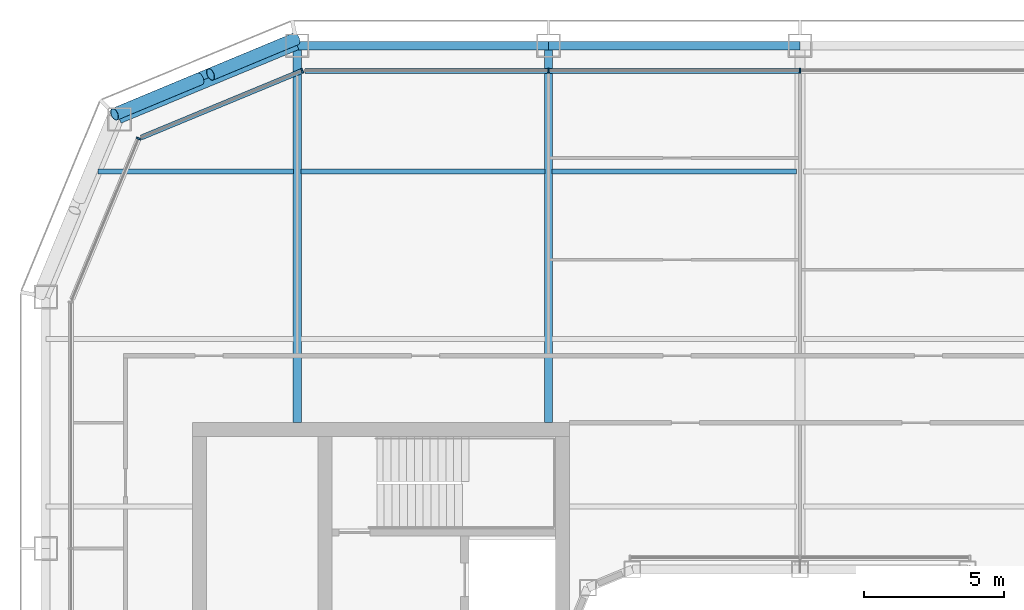
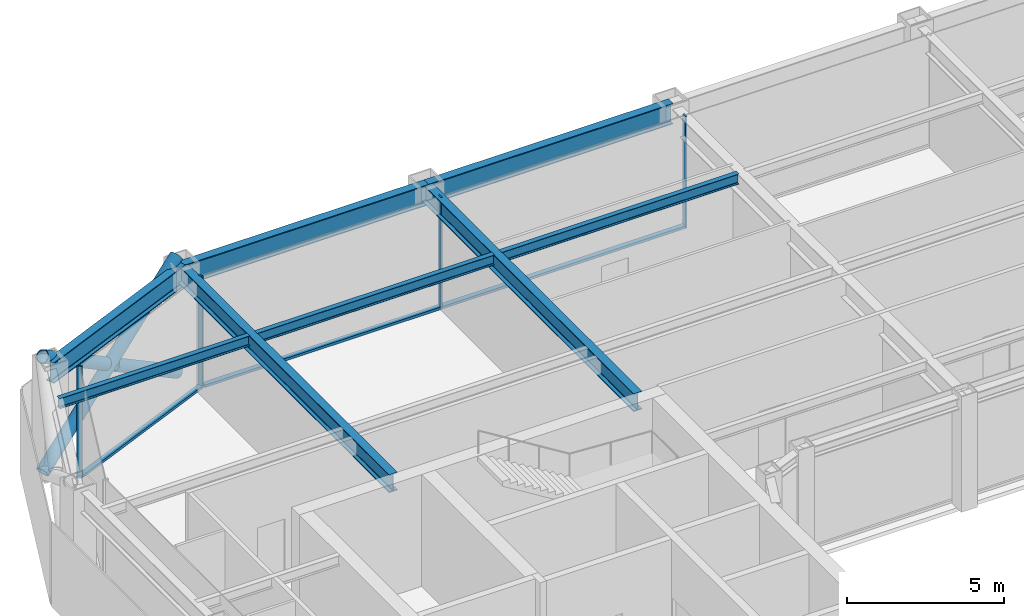
# One storey, part 8 of 19: 10 members, 8 beams, 3 elements without a shape of their own.
"""IFC4 building model written with IfcOpenShell, lengths in metres."""

from ifc_helpers import new_model, si_unit, direction, frame, origin, origin_2d, place, context, subcontext, project, spatial, rectangle, hollow_circle, i_section, extrude, material, layer, layer_set, material_profile, profile_set, type_object, element, aggregate, save


model = new_model("IFC4")

# Units and contexts
model_context = context("Model", 3, precision=1e-05, world=origin(), true_north=direction((0.0, 1.0)))
body_context = subcontext(model_context, "Body", "Model", "MODEL_VIEW")
ifc_project = project(units=[si_unit("LENGTHUNIT", "METRE"), si_unit("AREAUNIT", "SQUARE_METRE"), si_unit("VOLUMEUNIT", "CUBIC_METRE"), si_unit("PLANEANGLEUNIT", "RADIAN"), si_unit("MASSUNIT", "GRAM", prefix="KILO")], contexts=[model_context])

# Site, building, storey
site_placement = place(None, origin())
site = spatial("IfcSite", under=ifc_project, at=site_placement, CompositionType="ELEMENT")
building_placement = place(site_placement, origin())
building = spatial("IfcBuilding", under=site, at=building_placement, Name="Siwar Civic Tower", CompositionType="ELEMENT")
storey_placement = place(building_placement, frame((0.0, 0.0, 210.699951171875)))
storey = spatial("IfcBuildingStorey", under=building, at=storey_placement, Name="L45", CompositionType="ELEMENT", Elevation=210.699951171875)

# Curtain wall, members
ifc_material_1 = material(Name="Aluminium and glass", Category="aluminium")
ifc_layer_1 = layer(ifc_material_1, 0.179931640625)
ifc_layer_set_1 = layer_set([ifc_layer_1], Name="Aluminium and glass")
curtain_wall_type_1 = type_object("IfcCurtainWallType", Name="ENV-CW-C", PredefinedType="NOTDEFINED", material=ifc_layer_set_1)
curtain_wall_1_placement = place(storey_placement, origin())
curtain_wall_1 = element("IfcCurtainWall", 1, at=curtain_wall_1_placement, inside=storey, type_object=curtain_wall_type_1, Name="Curtain wall C N", PredefinedType="NOTDEFINED")
ifc_material_2 = material(Name="Aluminium 6063-T6", Category="aluminium")
ifc_material_profile_1 = material_profile(ifc_material_2, rectangle(XDim=0.179931640625, YDim=0.06005859375, at=origin_2d()), Name="AL 180x60")
ifc_profile_set_1 = profile_set([ifc_material_profile_1], Name="Aluminium 6063-T6")
member_type_1 = type_object("IfcMemberType", Name="ENV-MULLION-C", PredefinedType="MULLION", material=ifc_profile_set_1)
member_1_placement = place(storey_placement, frame((0.0, 26.10009765625, 0.0), z_axis=(0.0, 0.0, 1.0), x_axis=(0.0, -1.0, 0.0)))
member_1 = element("IfcMember", 2, at=member_1_placement, type_object=member_type_1, Name="Mullion C N 3", PredefinedType="MULLION", context=body_context, shape_type="SweptSolid", body=[
    extrude(rectangle(XDim=0.179931640625, YDim=0.06005859375, at=origin_2d()), origin(), (0.0, 0.0, 1.0), 4.35009765625),
])
member_2_placement = place(storey_placement, frame((-9.0, 26.10009765625, 0.0), z_axis=(0.0, 0.0, 1.0), x_axis=(0.0, -1.0, 0.0)))
member_2 = element("IfcMember", 3, at=member_2_placement, type_object=member_type_1, Name="Mullion C N 4", PredefinedType="MULLION", context=body_context, shape_type="SweptSolid", body=[
    extrude(rectangle(XDim=0.179931640625, YDim=0.06005859375, at=origin_2d()), origin(), (0.0, 0.0, 1.0), 4.35009765625),
])

# Curtain wall, member
ifc_material_3 = material(Name="Aluminium clad insulated panel", Category="aluminium")
ifc_layer_2 = layer(ifc_material_3, 0.179931640625)
ifc_layer_set_2 = layer_set([ifc_layer_2], Name="Aluminium clad insulated panel")
curtain_wall_type_2 = type_object("IfcCurtainWallType", Name="ENV-CW-CX", PredefinedType="NOTDEFINED", material=ifc_layer_set_2)
curtain_wall_2_placement = place(storey_placement, origin())
curtain_wall_2 = element("IfcCurtainWall", 4, at=curtain_wall_2_placement, inside=storey, type_object=curtain_wall_type_2, Name="Curtain wall C NW1", PredefinedType="NOTDEFINED")
member_3_placement = place(storey_placement, frame((-17.821044921875, 26.10009765625, 0.0), z_axis=(0.0, 0.0, 1.0), x_axis=(0.382683432365, -0.923879532511, 0.0)))
member_3 = element("IfcMember", 5, at=member_3_placement, type_object=member_type_1, Name="Mullion C NW1 1", PredefinedType="MULLION", context=body_context, shape_type="SweptSolid", body=[
    extrude(rectangle(XDim=0.179931640625, YDim=0.06005859375, at=origin_2d()), origin(), (0.0, 0.0, 1.0), 4.35009765625),
])

curtain_wall_3_placement = place(storey_placement, origin())
curtain_wall_3 = element("IfcCurtainWall", 6, at=curtain_wall_3_placement, inside=storey, type_object=curtain_wall_type_2, Name="Curtain wall C NW2", PredefinedType="NOTDEFINED")
member_4_placement = place(storey_placement, frame((-23.675048828125, 23.675048828125, 0.0), z_axis=(0.0, 0.0, 1.0), x_axis=(0.923879532511, -0.382683432365, 0.0)))
member_4 = element("IfcMember", 7, at=member_4_placement, type_object=member_type_1, Name="Mullion C NW2 1", PredefinedType="MULLION", context=body_context, shape_type="SweptSolid", body=[
    extrude(rectangle(XDim=0.179931640625, YDim=0.06005859375, at=origin_2d()), origin(), (0.0, 0.0, 1.0), 4.35009765625),
])
aggregate(curtain_wall_3, [member_4])

# Member
ifc_material_4 = material(Name="Aluminium 6063-T6", Category="aluminium")
ifc_material_profile_2 = material_profile(ifc_material_4, rectangle(XDim=0.179931640625, YDim=0.10009765625, at=origin_2d()), Name="AL 180x100")
ifc_profile_set_2 = profile_set([ifc_material_profile_2], Name="Aluminium 6063-T6")
member_type_2 = type_object("IfcMemberType", Name="ENV-TRANSOM-C", PredefinedType="USERDEFINED", material=ifc_profile_set_2)
member_5_placement = place(storey_placement, frame((-0.030029296875, 26.10009765625, 0.050048828125), z_axis=(-1.0, 0.0, 0.0), x_axis=(0.0, -1.0, 0.0)))
member_5 = element("IfcMember", 8, at=member_5_placement, type_object=member_type_2, Name="Transom C N 3", ObjectType="TRANSOM", PredefinedType="USERDEFINED", context=body_context, shape_type="SweptSolid", body=[
    extrude(rectangle(XDim=0.179931640625, YDim=0.10009765625, at=origin_2d()), origin(), (0.0, 0.0, 1.0), 8.93994140625),
])

member_6_placement = place(storey_placement, frame((-9.030029296875, 26.10009765625, 0.050048828125), z_axis=(-1.0, 0.0, 0.0), x_axis=(0.0, -1.0, 0.0)))
member_6 = element("IfcMember", 9, at=member_6_placement, type_object=member_type_2, Name="Transom C N 4", ObjectType="TRANSOM", PredefinedType="USERDEFINED", context=body_context, shape_type="SweptSolid", body=[
    extrude(rectangle(XDim=0.179931640625, YDim=0.10009765625, at=origin_2d()), origin(), (0.0, 0.0, 1.0), 8.68603515625),
])

aggregate(curtain_wall_1, [member_1, member_2, member_5, member_6])

member_7_placement = place(storey_placement, frame((-17.8486328125, 26.088623046875, 0.050048828125), z_axis=(-0.923882011223, -0.38267744817, 0.0), x_axis=(0.38267744817, -0.923882011223, 0.0)))
member_7 = element("IfcMember", 10, at=member_7_placement, type_object=member_type_2, Name="Transom C NW1 1", ObjectType="TRANSOM", PredefinedType="USERDEFINED", context=body_context, shape_type="SweptSolid", body=[
    extrude(rectangle(XDim=0.179931640625, YDim=0.10009765625, at=origin_2d()), origin(), (0.0, 0.0, 1.0), 6.201904296875),
])

aggregate(curtain_wall_2, [member_3, member_7])

# Members
ifc_material_5 = material(Name="Steel S355", Category="steel")
ifc_material_profile_3 = material_profile(ifc_material_5, hollow_circle(Radius=0.228515625, WallThickness=0.02001953125, at=origin_2d()), Name="CHS457x20")
ifc_profile_set_3 = profile_set([ifc_material_profile_3], Name="Steel S355")
member_type_3 = type_object("IfcMemberType", Name="STR-BR-CHS457x20", PredefinedType="BRACE", material=ifc_profile_set_3)
member_8_placement = place(storey_placement, frame((-24.540771484375, 24.540771484375, 0.0), z_axis=(0.777554562952, 0.323905527954, 0.538975055633), x_axis=(-0.384538969033, 0.923108759191, 0.0)))
element("IfcMember", 11, at=member_8_placement, inside=storey, type_object=member_type_3, Name="L45/brc/CNW1-5-0-0", PredefinedType="BRACE", context=body_context, shape_type="SweptSolid", body=[
    extrude(hollow_circle(Radius=0.228515625, WallThickness=0.02001953125, at=origin_2d()), origin(), (0.0, 0.0, 1.0), 8.34912109375),
])
for number, where, z_axis, x_axis, name in (
    (12, (-18.048828125, 27.2451171875, 0.0), (-0.777546448489, -0.323884455881, 0.538999424564), (0.38452107079, -0.92311621485, 0.0), "L45/brc/CNW1-5-0-4"),
    (13, (-21.486572265625, 25.81298828125, 2.383056640625), (-0.777572496853, -0.323895306243, 0.538955325357), (0.38452107079, -0.92311621485, 0.0), "L45/brc/CNW1-5-0-5"),
):
    element("IfcMember", number, at=place(storey_placement, frame(where, z_axis=z_axis, x_axis=x_axis)), inside=storey, type_object=member_type_3, Name=name, PredefinedType="BRACE", context=body_context, shape_type="SweptSolid", body=[
        extrude(hollow_circle(Radius=0.228515625, WallThickness=0.02001953125, at=origin_2d()), origin(), (0.0, 0.0, 1.0), 3.927978515625),
    ])

# Beams
ifc_material_6 = material(Name="Steel S355", Category="steel")
ifc_material_profile_4 = material_profile(ifc_material_6, i_section(OverallWidth=0.179931640625, OverallDepth=0.39990234375, WebThickness=0.008544921875, FlangeThickness=0.013427734375, FilletRadius=0.02099609375, at=origin_2d()), Name="IPE400")
ifc_profile_set_4 = profile_set([ifc_material_profile_4], Name="Steel S355")
beam_type_1 = type_object("IfcBeamType", Name="STR-FB-IPE400", PredefinedType="JOIST", material=ifc_profile_set_4)
beam_1_placement = place(storey_placement, frame((-25.135986328125, 22.5, 4.150146484375), z_axis=(1.0, 0.0, 0.0), x_axis=(0.0, 1.0, 0.0)))
element("IfcBeam", 14, at=beam_1_placement, inside=storey, type_object=beam_type_1, Name="L45/bm/F037", PredefinedType="JOIST", context=body_context, shape_type="SweptSolid", body=[
    extrude(i_section(OverallWidth=0.179931640625, OverallDepth=0.39990234375, WebThickness=0.008544921875, FlangeThickness=0.013427734375, FilletRadius=0.02099609375, at=origin_2d()), origin(), (0.0, 0.0, 1.0), 7.006103515625),
])
for number, where, z_axis, x_axis, name in (
    (15, (-17.8701171875, 22.5, 4.150146484375), (1.0, 0.0, 0.0), (0.0, 1.0, 0.0), "L45/bm/F038"),
    (16, (-8.8701171875, 22.5, 4.150146484375), (1.0, 0.0, 0.0), (0.0, 1.0, 0.0), "L45/bm/F039"),
):
    element("IfcBeam", number, at=place(storey_placement, frame(where, z_axis=z_axis, x_axis=x_axis)), inside=storey, type_object=beam_type_1, Name=name, PredefinedType="JOIST", context=body_context, shape_type="SweptSolid", body=[
        extrude(i_section(OverallWidth=0.179931640625, OverallDepth=0.39990234375, WebThickness=0.008544921875, FlangeThickness=0.013427734375, FilletRadius=0.02099609375, at=origin_2d()), origin(), (0.0, 0.0, 1.0), 8.740234375),
    ])
ifc_material_7 = material(Name="Steel S355", Category="steel")
ifc_material_profile_5 = material_profile(ifc_material_7, i_section(OverallWidth=0.300048828125, OverallDepth=0.699951171875, WebThickness=0.01708984375, FlangeThickness=0.031982421875, FilletRadius=0.027099609375, at=origin_2d()), Name="HEB700")
ifc_profile_set_5 = profile_set([ifc_material_profile_5], Name="Steel S355")
beam_type_2 = type_object("IfcBeamType", Name="STR-PG-HEB700", PredefinedType="BEAM", material=ifc_profile_set_5)
for number, where, z_axis, x_axis, name in (
    (17, (-18.0, 13.5, 4.0), (0.0, 1.0, 0.0), (-1.0, 0.0, 0.0), "L45/bm/G02"),
    (18, (-9.0, 13.5, 4.0), (0.0, 1.0, 0.0), (-1.0, 0.0, 0.0), "L45/bm/G04"),
):
    element("IfcBeam", number, at=place(storey_placement, frame(where, z_axis=z_axis, x_axis=x_axis)), inside=storey, type_object=beam_type_2, Name=name, PredefinedType="BEAM", context=body_context, shape_type="SweptSolid", body=[
        extrude(i_section(OverallWidth=0.300048828125, OverallDepth=0.699951171875, WebThickness=0.01708984375, FlangeThickness=0.031982421875, FilletRadius=0.027099609375, at=origin_2d()), origin(), (0.0, 0.0, 1.0), 13.5),
    ])
ifc_material_8 = material(Name="Steel S355", Category="steel")
ifc_material_profile_6 = material_profile(ifc_material_8, i_section(OverallWidth=0.300048828125, OverallDepth=0.800048828125, WebThickness=0.017578125, FlangeThickness=0.032958984375, FilletRadius=0.030029296875, at=origin_2d()), Name="HEB800")
ifc_profile_set_6 = profile_set([ifc_material_profile_6], Name="Steel S355")
beam_type_3 = type_object("IfcBeamType", Name="STR-SB-HEB800", PredefinedType="BEAM", material=ifc_profile_set_6)
for number, where, z_axis, x_axis, name in (
    (19, (0.0, 27.0, 3.949951171875), (-1.0, 0.0, 0.0), (0.0, -1.0, 0.0), "L45/bm/SN-2"),
    (20, (-9.0, 27.0, 3.949951171875), (-1.0, 0.0, 0.0), (0.0, -1.0, 0.0), "L45/bm/SN-3"),
):
    element("IfcBeam", number, at=place(storey_placement, frame(where, z_axis=z_axis, x_axis=x_axis)), inside=storey, type_object=beam_type_3, Name=name, PredefinedType="BEAM", context=body_context, shape_type="SweptSolid", body=[
        extrude(i_section(OverallWidth=0.300048828125, OverallDepth=0.800048828125, WebThickness=0.017578125, FlangeThickness=0.032958984375, FilletRadius=0.030029296875, at=origin_2d()), origin(), (0.0, 0.0, 1.0), 9.0),
    ])
beam_2_placement = place(storey_placement, frame((-18.0, 27.0, 3.949951171875), z_axis=(-0.923883353507, -0.382674207535, 0.0), x_axis=(0.382674207535, -0.923883353507, 0.0)))
element("IfcBeam", 21, at=beam_2_placement, inside=storey, type_object=beam_type_3, Name="L45/bm/SNW1-0", PredefinedType="BEAM", context=body_context, shape_type="SweptSolid", body=[
    extrude(i_section(OverallWidth=0.300048828125, OverallDepth=0.800048828125, WebThickness=0.017578125, FlangeThickness=0.032958984375, FilletRadius=0.030029296875, at=origin_2d()), origin(), (0.0, 0.0, 1.0), 6.888427734375),
])

save(model, "model.ifc")
